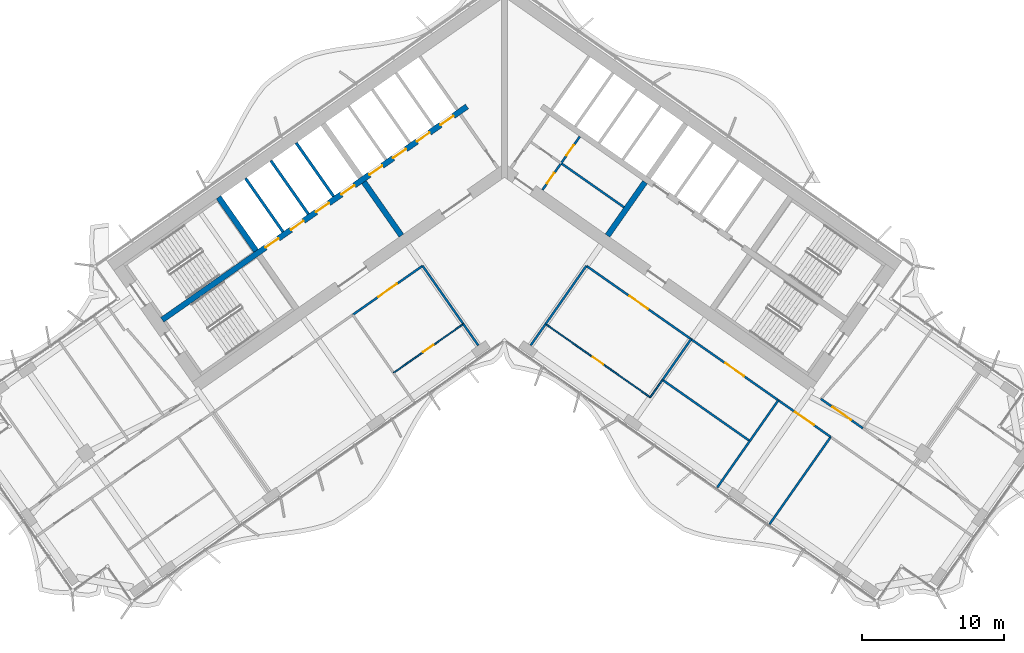
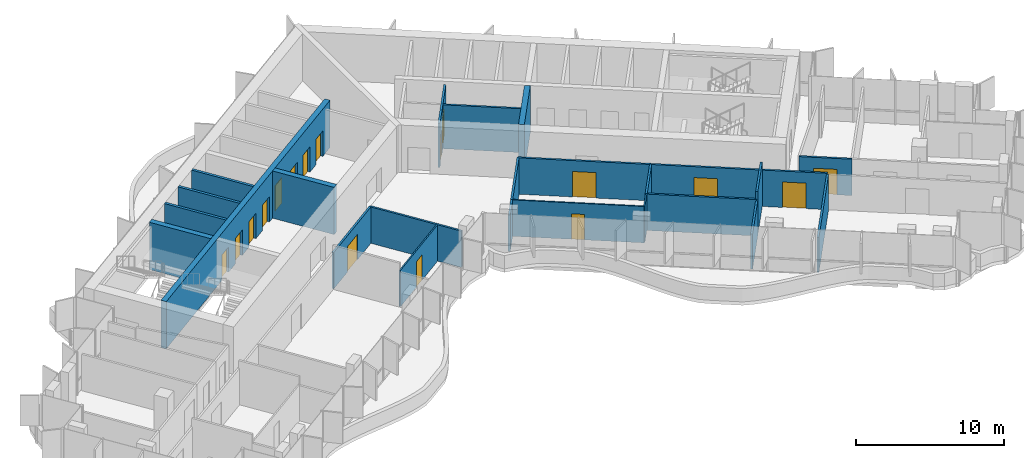
# One storey, part 15 of 23: 26 walls, 17 doors, 17 openings.
"""IFC4 building model written with IfcOpenShell, lengths in metres."""

from ifc_helpers import new_model, si_unit, direction, frame, frame_2d, origin, place, context, subcontext, project, spatial, polyline, rectangle, outline, extrude, material, layer, layer_set, type_object, element, fill, save


model = new_model("IFC4")

# Units and contexts
model_context = context("Model", 3, precision=1e-05, world=origin(), true_north=direction((0.0, 1.0)))
body_context = subcontext(model_context, "Body", "Model", "MODEL_VIEW")
ifc_project = project(units=[si_unit("LENGTHUNIT", "METRE"), si_unit("AREAUNIT", "SQUARE_METRE"), si_unit("VOLUMEUNIT", "CUBIC_METRE"), si_unit("PLANEANGLEUNIT", "RADIAN"), si_unit("MASSUNIT", "GRAM", prefix="KILO")], contexts=[model_context])

# Site, building, storey
site_placement = place(None, origin())
site = spatial("IfcSite", under=ifc_project, at=site_placement, CompositionType="ELEMENT")
building_placement = place(site_placement, origin())
building = spatial("IfcBuilding", under=site, at=building_placement, Name="Tel Ilan Convention Tower", CompositionType="ELEMENT")
storey_placement = place(building_placement, frame((0.0, 0.0, 178.800048828125)))
storey = spatial("IfcBuildingStorey", under=building, at=storey_placement, Name="L41", CompositionType="ELEMENT", Elevation=178.800048828125)

# Wall, openings, doors
ifc_material_1 = material(Name="Gypsum Plasterboard on Steel Stud", Category="steel")
ifc_layer_1 = layer(ifc_material_1, 0.14990234375)
ifc_layer_set_1 = layer_set([ifc_layer_1], Name="Core Room Partition Wall 150 mm EI 60")
wall_type_1 = type_object("IfcWallType", Name="Core Room Partition Wall 150 mm EI 60", PredefinedType="PARTITIONING", material=ifc_layer_set_1)
wall_1_placement = place(storey_placement, frame((2.67041015625, -2.114013671875, 0.0), z_axis=(0.0, 0.0, 1.0), x_axis=(0.573576324356, 0.819152122709, 0.0)))
wall_1 = element("IfcWall", 1, at=wall_1_placement, inside=storey, type_object=wall_type_1, Name="L41 core wall wc-v1", PredefinedType="PARTITIONING", context=body_context, shape_type="SweptSolid", body=[
    extrude(rectangle(XDim=4.599853515625, YDim=0.14990234375, at=frame_2d((2.2998046875, 0.0))), origin(), (0.0, 0.0, 1.0), 3.619873046875),
])
opening_1_placement = place(wall_1_placement, frame((0.550048828125, 0.0, 0.0)))
opening_1 = element("IfcOpeningElement", 2, at=opening_1_placement, cuts=wall_1, Name="Opening CD3109", PredefinedType="OPENING", context=body_context, shape_type="SweptSolid", body=[
    extrude(rectangle(XDim=0.89990234375, YDim=2.10009765625, at=frame_2d((0.449951171875, 1.050048828125))), frame((0.0, 0.0849609375, 0.0), z_axis=(0.0, -1.0, 0.0), x_axis=(1.0, 0.0, 0.0)), (0.0, 0.0, 1.0), 0.169921875),
])
opening_2_placement = place(wall_1_placement, frame((2.949951171875, 0.0, 0.0)))
opening_2 = element("IfcOpeningElement", 3, at=opening_2_placement, cuts=wall_1, Name="Opening CD3110", PredefinedType="OPENING", context=body_context, shape_type="SweptSolid", body=[
    extrude(rectangle(XDim=0.89990234375, YDim=2.10009765625, at=frame_2d((0.449951171875, 1.050048828125))), frame((0.0, 0.0849609375, 0.0), z_axis=(0.0, -1.0, 0.0), x_axis=(1.0, 0.0, 0.0)), (0.0, 0.0, 1.0), 0.169921875),
])
ifc_material_2 = material(Name="Laminated Timber Door Leaf", Category="wood")
door_type_1 = type_object("IfcDoorType", Name="Toilet Door 900 x 2100 FD30S", OperationType="NOTDEFINED", PredefinedType="DOOR", material=ifc_material_2)
door_1_placement = place(opening_1_placement, origin())
door_1 = element("IfcDoor", 4, at=door_1_placement, inside=storey, type_object=door_type_1, Name="Women's WC door", OperationType="SINGLE_SWING_RIGHT", OverallHeight=2.10009765625, OverallWidth=0.89990234375, PredefinedType="DOOR", context=body_context, shape_type="SweptSolid", body=[
    extrude(rectangle(XDim=0.89990234375, YDim=2.10009765625, at=frame_2d((0.449951171875, 1.050048828125))), frame((0.0, 0.02490234375, 0.0), z_axis=(0.0, -1.0, 0.0), x_axis=(1.0, 0.0, 0.0)), (0.0, 0.0, 1.0), 0.050048828125),
])
fill(opening_1, door_1)
door_2_placement = place(opening_2_placement, origin())
door_2 = element("IfcDoor", 5, at=door_2_placement, inside=storey, type_object=door_type_1, Name="Men's WC door", OperationType="SINGLE_SWING_RIGHT", OverallHeight=2.10009765625, OverallWidth=0.89990234375, PredefinedType="DOOR", context=body_context, shape_type="SweptSolid", body=[
    extrude(rectangle(XDim=0.89990234375, YDim=2.10009765625, at=frame_2d((0.449951171875, 1.050048828125))), frame((0.0, 0.02490234375, 0.0), z_axis=(0.0, -1.0, 0.0), x_axis=(1.0, 0.0, 0.0)), (0.0, 0.0, 1.0), 0.050048828125),
])
fill(opening_2, door_2)

# Walls
wall_2_placement = place(storey_placement, frame((3.989501953125, -0.22998046875, 0.0), z_axis=(0.0, 0.0, 1.0), x_axis=(0.819153326956, -0.573574604508, 0.0)))
element("IfcWall", 6, at=wall_2_placement, inside=storey, type_object=wall_type_1, Name="L41 core wall wc-h2", PredefinedType="PARTITIONING", context=body_context, shape_type="SweptSolid", body=[
    extrude(rectangle(XDim=5.400146484375, YDim=0.14990234375, at=frame_2d((2.7001953125, 0.0))), origin(), (0.0, 0.0, 1.0), 3.619873046875),
])
ifc_material_3 = material(Name="Concrete C50/60", Category="concrete")
ifc_layer_2 = layer(ifc_material_3, 0.39990234375)
ifc_layer_set_2 = layer_set([ifc_layer_2], Name="Core Shear Wall 400 mm C50/60")
wall_type_2 = type_object("IfcWallType", Name="Core Shear Wall 400 mm C50/60", PredefinedType="SHEAR", material=ifc_layer_set_2)
wall_3_placement = place(storey_placement, frame((-7.2578125, -5.325927734375, 0.0), z_axis=(0.0, 0.0, 1.0), x_axis=(-0.573540709186, 0.819177059558, 0.0)))
element("IfcWall", 7, at=wall_3_placement, inside=storey, type_object=wall_type_2, Name="L41 core wall W-cross1-1", PredefinedType="SHEAR", context=body_context, shape_type="SweptSolid", body=[
    extrude(outline(polyline([(4.599853515625, 0.2001953125), (-0.000244140625, 0.199951171875), (-0.000244140625, -0.2001953125), (4.599853515625, -0.199951171875), (4.599853515625, 0.2001953125)])), origin(), (0.0, 0.0, 1.0), 3.89990234375),
])
wall_4_placement = place(storey_placement, frame((-17.497802734375, -6.392333984375, 0.0), z_axis=(0.0, 0.0, 1.0), x_axis=(-0.573611936273, 0.819127185829, 0.0)))
element("IfcWall", 8, at=wall_4_placement, inside=storey, type_object=wall_type_2, Name="L41 core wall W-cross2-2", PredefinedType="SHEAR", context=body_context, shape_type="SweptSolid", body=[
    extrude(outline(polyline([(4.599853515625, -0.2001953125), (4.599853515625, 0.199951171875), (0.0, 0.2001953125), (0.0, -0.199951171875), (4.599853515625, -0.2001953125)])), origin(), (0.0, 0.0, 1.0), 3.89990234375),
])

# Wall, openings, doors
wall_5_placement = place(storey_placement, frame((-2.638427734375, 3.76806640625, 0.0), z_axis=(0.0, 0.0, 1.0), x_axis=(-0.81915267502, -0.573575535572, 0.0)))
wall_5 = element("IfcWall", 9, at=wall_5_placement, inside=storey, type_object=wall_type_2, Name="L41 core wall W-spine", PredefinedType="SHEAR", context=body_context, shape_type="SweptSolid", body=[
    extrude(outline(polyline([(26.199951171875, 0.199951171875), (0.0, 0.199951171875), (0.0, -0.199951171875), (26.199951171875, -0.199951171875), (26.199951171875, 0.199951171875)])), origin(), (0.0, 0.0, 1.0), 3.89990234375),
])
opening_3_placement = place(wall_5_placement, frame((1.168701171875, 0.0, 0.0)))
opening_3 = element("IfcOpeningElement", 10, at=opening_3_placement, cuts=wall_5, Name="Opening LD3104", PredefinedType="OPENING", context=body_context, shape_type="SweptSolid", body=[
    extrude(rectangle(XDim=1.10009765625, YDim=2.10009765625, at=frame_2d((0.550048828125, 1.050048828125))), frame((0.0, 0.2099609375, 0.0), z_axis=(0.0, -1.0, 0.0), x_axis=(1.0, 0.0, 0.0)), (0.0, 0.0, 1.0), 0.419921875),
])
opening_4_placement = place(wall_5_placement, frame((3.206298828125, 0.0, 0.0)))
opening_4 = element("IfcOpeningElement", 11, at=opening_4_placement, cuts=wall_5, Name="Opening LD3105", PredefinedType="OPENING", context=body_context, shape_type="SweptSolid", body=[
    extrude(rectangle(XDim=1.10009765625, YDim=2.10009765625, at=frame_2d((0.550048828125, 1.050048828125))), frame((0.0, 0.2099609375, 0.0), z_axis=(0.0, -1.0, 0.0), x_axis=(1.0, 0.0, 0.0)), (0.0, 0.0, 1.0), 0.419921875),
])
opening_5_placement = place(wall_5_placement, frame((5.24365234375, 0.0, 0.0)))
opening_5 = element("IfcOpeningElement", 12, at=opening_5_placement, cuts=wall_5, Name="Opening LD3106", PredefinedType="OPENING", context=body_context, shape_type="SweptSolid", body=[
    extrude(rectangle(XDim=1.10009765625, YDim=2.10009765625, at=frame_2d((0.550048828125, 1.050048828125))), frame((0.0, 0.2099609375, 0.0), z_axis=(0.0, -1.0, 0.0), x_axis=(1.0, 0.0, 0.0)), (0.0, 0.0, 1.0), 0.419921875),
])
opening_6_placement = place(wall_5_placement, frame((7.28125, 0.0, 0.0)))
opening_6 = element("IfcOpeningElement", 13, at=opening_6_placement, cuts=wall_5, Name="Opening LD3107", PredefinedType="OPENING", context=body_context, shape_type="SweptSolid", body=[
    extrude(rectangle(XDim=1.10009765625, YDim=2.10009765625, at=frame_2d((0.550048828125, 1.050048828125))), frame((0.0, 0.2099609375, 0.0), z_axis=(0.0, -1.0, 0.0), x_axis=(1.0, 0.0, 0.0)), (0.0, 0.0, 1.0), 0.419921875),
])
opening_7_placement = place(wall_5_placement, frame((9.6875, 0.0, 0.0)))
opening_7 = element("IfcOpeningElement", 14, at=opening_7_placement, cuts=wall_5, Name="Opening LD3108", PredefinedType="OPENING", context=body_context, shape_type="SweptSolid", body=[
    extrude(rectangle(XDim=1.10009765625, YDim=2.10009765625, at=frame_2d((0.550048828125, 1.050048828125))), frame((0.0, 0.2099609375, 0.0), z_axis=(0.0, -1.0, 0.0), x_axis=(1.0, 0.0, 0.0)), (0.0, 0.0, 1.0), 0.419921875),
])
opening_8_placement = place(wall_5_placement, frame((11.862548828125, 0.0, 0.0)))
opening_8 = element("IfcOpeningElement", 15, at=opening_8_placement, cuts=wall_5, Name="Opening LD3109", PredefinedType="OPENING", context=body_context, shape_type="SweptSolid", body=[
    extrude(rectangle(XDim=1.10009765625, YDim=2.10009765625, at=frame_2d((0.550048828125, 1.050048828125))), frame((0.0, 0.2099609375, 0.0), z_axis=(0.0, -1.0, 0.0), x_axis=(1.0, 0.0, 0.0)), (0.0, 0.0, 1.0), 0.419921875),
])
opening_9_placement = place(wall_5_placement, frame((14.03759765625, 0.0, 0.0)))
opening_9 = element("IfcOpeningElement", 16, at=opening_9_placement, cuts=wall_5, Name="Opening LD3110", PredefinedType="OPENING", context=body_context, shape_type="SweptSolid", body=[
    extrude(rectangle(XDim=1.10009765625, YDim=2.10009765625, at=frame_2d((0.550048828125, 1.050048828125))), frame((0.0, 0.2099609375, 0.0), z_axis=(0.0, -1.0, 0.0), x_axis=(1.0, 0.0, 0.0)), (0.0, 0.0, 1.0), 0.419921875),
])
opening_10_placement = place(wall_5_placement, frame((16.21240234375, 0.0, 0.0)))
opening_10 = element("IfcOpeningElement", 17, at=opening_10_placement, cuts=wall_5, Name="Opening LD3111", PredefinedType="OPENING", context=body_context, shape_type="SweptSolid", body=[
    extrude(rectangle(XDim=1.10009765625, YDim=2.10009765625, at=frame_2d((0.550048828125, 1.050048828125))), frame((0.0, 0.2099609375, 0.0), z_axis=(0.0, -1.0, 0.0), x_axis=(1.0, 0.0, 0.0)), (0.0, 0.0, 1.0), 0.419921875),
])
ifc_material_4 = material(Name="Stainless Steel Sliding Door Leaf", Category="steel")
door_type_2 = type_object("IfcDoorType", Name="Lift Landing Door 1100 x 2100 FD120", OperationType="NOTDEFINED", PredefinedType="DOOR", material=ifc_material_4)
door_3_placement = place(opening_3_placement, origin())
door_3 = element("IfcDoor", 18, at=door_3_placement, inside=storey, type_object=door_type_2, Name="Lift LR1 landing door", OperationType="SLIDING_TO_LEFT", OverallHeight=2.10009765625, OverallWidth=1.10009765625, PredefinedType="DOOR", context=body_context, shape_type="SweptSolid", body=[
    extrude(rectangle(XDim=1.10009765625, YDim=2.10009765625, at=frame_2d((0.550048828125, 1.050048828125))), frame((0.0, 0.02490234375, 0.0), z_axis=(0.0, -1.0, 0.0), x_axis=(1.0, 0.0, 0.0)), (0.0, 0.0, 1.0), 0.050048828125),
])
fill(opening_3, door_3)
door_4_placement = place(opening_4_placement, origin())
door_4 = element("IfcDoor", 19, at=door_4_placement, inside=storey, type_object=door_type_2, Name="Lift LR2 landing door", OperationType="SLIDING_TO_RIGHT", OverallHeight=2.10009765625, OverallWidth=1.10009765625, PredefinedType="DOOR", context=body_context, shape_type="SweptSolid", body=[
    extrude(rectangle(XDim=1.10009765625, YDim=2.10009765625, at=frame_2d((0.550048828125, 1.050048828125))), frame((0.0, 0.02490234375, 0.0), z_axis=(0.0, -1.0, 0.0), x_axis=(1.0, 0.0, 0.0)), (0.0, 0.0, 1.0), 0.050048828125),
])
fill(opening_4, door_4)
door_5_placement = place(opening_5_placement, origin())
door_5 = element("IfcDoor", 20, at=door_5_placement, inside=storey, type_object=door_type_2, Name="Lift LR3 landing door", OperationType="SLIDING_TO_LEFT", OverallHeight=2.10009765625, OverallWidth=1.10009765625, PredefinedType="DOOR", context=body_context, shape_type="SweptSolid", body=[
    extrude(rectangle(XDim=1.10009765625, YDim=2.10009765625, at=frame_2d((0.550048828125, 1.050048828125))), frame((0.0, 0.02490234375, 0.0), z_axis=(0.0, -1.0, 0.0), x_axis=(1.0, 0.0, 0.0)), (0.0, 0.0, 1.0), 0.050048828125),
])
fill(opening_5, door_5)
door_6_placement = place(opening_6_placement, origin())
door_6 = element("IfcDoor", 21, at=door_6_placement, inside=storey, type_object=door_type_2, Name="Lift LR4 landing door", OperationType="SLIDING_TO_RIGHT", OverallHeight=2.10009765625, OverallWidth=1.10009765625, PredefinedType="DOOR", context=body_context, shape_type="SweptSolid", body=[
    extrude(rectangle(XDim=1.10009765625, YDim=2.10009765625, at=frame_2d((0.550048828125, 1.050048828125))), frame((0.0, 0.02490234375, 0.0), z_axis=(0.0, -1.0, 0.0), x_axis=(1.0, 0.0, 0.0)), (0.0, 0.0, 1.0), 0.050048828125),
])
fill(opening_6, door_6)
door_7_placement = place(opening_7_placement, origin())
door_7 = element("IfcDoor", 22, at=door_7_placement, inside=storey, type_object=door_type_2, Name="Lift LR5 landing door", OperationType="SLIDING_TO_LEFT", OverallHeight=2.10009765625, OverallWidth=1.10009765625, PredefinedType="DOOR", context=body_context, shape_type="SweptSolid", body=[
    extrude(rectangle(XDim=1.10009765625, YDim=2.10009765625, at=frame_2d((0.550048828125, 1.050048828125))), frame((0.0, 0.02490234375, 0.0), z_axis=(0.0, -1.0, 0.0), x_axis=(1.0, 0.0, 0.0)), (0.0, 0.0, 1.0), 0.050048828125),
])
fill(opening_7, door_7)
door_8_placement = place(opening_8_placement, origin())
door_8 = element("IfcDoor", 23, at=door_8_placement, inside=storey, type_object=door_type_2, Name="Lift LR6 landing door", OperationType="SLIDING_TO_RIGHT", OverallHeight=2.10009765625, OverallWidth=1.10009765625, PredefinedType="DOOR", context=body_context, shape_type="SweptSolid", body=[
    extrude(rectangle(XDim=1.10009765625, YDim=2.10009765625, at=frame_2d((0.550048828125, 1.050048828125))), frame((0.0, 0.02490234375, 0.0), z_axis=(0.0, -1.0, 0.0), x_axis=(1.0, 0.0, 0.0)), (0.0, 0.0, 1.0), 0.050048828125),
])
fill(opening_8, door_8)
door_9_placement = place(opening_9_placement, origin())
door_9 = element("IfcDoor", 24, at=door_9_placement, inside=storey, type_object=door_type_2, Name="Lift LR7 landing door", OperationType="SLIDING_TO_LEFT", OverallHeight=2.10009765625, OverallWidth=1.10009765625, PredefinedType="DOOR", context=body_context, shape_type="SweptSolid", body=[
    extrude(rectangle(XDim=1.10009765625, YDim=2.10009765625, at=frame_2d((0.550048828125, 1.050048828125))), frame((0.0, 0.02490234375, 0.0), z_axis=(0.0, -1.0, 0.0), x_axis=(1.0, 0.0, 0.0)), (0.0, 0.0, 1.0), 0.050048828125),
])
fill(opening_9, door_9)
door_10_placement = place(opening_10_placement, origin())
door_10 = element("IfcDoor", 25, at=door_10_placement, inside=storey, type_object=door_type_2, Name="Lift LR8 landing door", OperationType="SLIDING_TO_RIGHT", OverallHeight=2.10009765625, OverallWidth=1.10009765625, PredefinedType="DOOR", context=body_context, shape_type="SweptSolid", body=[
    extrude(rectangle(XDim=1.10009765625, YDim=2.10009765625, at=frame_2d((0.550048828125, 1.050048828125))), frame((0.0, 0.02490234375, 0.0), z_axis=(0.0, -1.0, 0.0), x_axis=(1.0, 0.0, 0.0)), (0.0, 0.0, 1.0), 0.050048828125),
])
fill(opening_10, door_10)

# Wall
wall_6_placement = place(storey_placement, frame((7.2578125, -5.325927734375, 0.0), z_axis=(0.0, 0.0, 1.0), x_axis=(0.573540709186, 0.819177059558, 0.0)))
element("IfcWall", 26, at=wall_6_placement, inside=storey, type_object=wall_type_2, Name="L41 core wall E-cross1-1", PredefinedType="SHEAR", context=body_context, shape_type="SweptSolid", body=[
    extrude(outline(polyline([(-0.000244140625, 0.2001953125), (-0.000244140625, -0.199951171875), (4.599853515625, -0.2001953125), (4.599853515625, 0.199951171875), (-0.000244140625, 0.2001953125)])), origin(), (0.0, 0.0, 1.0), 3.89990234375),
])

# Wall, opening, door
ifc_material_5 = material(Name="Plasterboard on Steel Studs", Category="steel")
ifc_layer_3 = layer(ifc_material_5, 0.14990234375)
ifc_layer_set_3 = layer_set([ifc_layer_3], Name="Fire-rated Partition 150 EI 60")
wall_type_3 = type_object("IfcWallType", Name="Fire-rated Partition 150 EI 60", PredefinedType="PARTITIONING", material=ifc_layer_set_3)
wall_7_placement = place(storey_placement, frame((22.283203125, -16.82373046875, 0.0), z_axis=(0.0, 0.0, 1.0), x_axis=(0.819174552658, -0.573544289726, 0.0)))
wall_7 = element("IfcWall", 27, at=wall_7_placement, inside=storey, type_object=wall_type_3, Name="Partition 001", PredefinedType="PARTITIONING", context=body_context, shape_type="SweptSolid", body=[
    extrude(rectangle(XDim=3.59912109375, YDim=0.14990234375, at=frame_2d((1.799560546875, 0.0))), origin(), (0.0, 0.0, 1.0), 3.0),
])
opening_11_placement = place(wall_7_placement, frame((0.99951171875, 0.0, 0.0)))
opening_11 = element("IfcOpeningElement", 28, at=opening_11_placement, cuts=wall_7, Name="Opening L39-017", PredefinedType="OPENING", context=body_context, shape_type="SweptSolid", body=[
    extrude(rectangle(XDim=1.60009765625, YDim=2.10009765625, at=frame_2d((0.800048828125, 1.050048828125))), frame((0.0, 0.0849609375, 0.0), z_axis=(0.0, -1.0, 0.0), x_axis=(1.0, 0.0, 0.0)), (0.0, 0.0, 1.0), 0.169921875),
])
ifc_material_6 = material(Name="Timber Door Leaf in Steel Frame", Category="steel")
door_type_3 = type_object("IfcDoorType", Name="Tenant Suite Entrance Fire Door 1600x2100", OperationType="NOTDEFINED", PredefinedType="DOOR", material=ifc_material_6)
door_11_placement = place(opening_11_placement, origin())
door_11 = element("IfcDoor", 29, at=door_11_placement, inside=storey, type_object=door_type_3, Name="Door L39-017", OperationType="DOUBLE_DOOR_SINGLE_SWING", OverallHeight=2.10009765625, OverallWidth=1.60009765625, PredefinedType="DOOR", context=body_context, shape_type="SweptSolid", body=[
    extrude(rectangle(XDim=1.60009765625, YDim=2.10009765625, at=frame_2d((0.800048828125, 1.050048828125))), frame((0.0, 0.02490234375, 0.0), z_axis=(0.0, -1.0, 0.0), x_axis=(1.0, 0.0, 0.0)), (0.0, 0.0, 1.0), 0.050048828125),
])
fill(opening_11, door_11)

wall_8_placement = place(storey_placement, frame((13.140380859375, -12.619140625, 0.0), z_axis=(0.0, 0.0, 1.0), x_axis=(-0.81915291695, 0.57357519006, 0.0)))
wall_8 = element("IfcWall", 30, at=wall_8_placement, inside=storey, type_object=wall_type_3, Name="Partition 004", PredefinedType="PARTITIONING", context=body_context, shape_type="SweptSolid", body=[
    extrude(rectangle(XDim=9.001953125, YDim=0.14990234375, at=frame_2d((4.5009765625, 0.0))), origin(), (0.0, 0.0, 1.0), 3.0),
])
opening_12_placement = place(wall_8_placement, frame((3.700927734375, 0.0, 0.0)))
opening_12 = element("IfcOpeningElement", 31, at=opening_12_placement, cuts=wall_8, Name="Opening L39-012", PredefinedType="OPENING", context=body_context, shape_type="SweptSolid", body=[
    extrude(rectangle(XDim=1.60009765625, YDim=2.10009765625, at=frame_2d((0.800048828125, 1.050048828125))), frame((0.0, 0.0849609375, 0.0), z_axis=(0.0, -1.0, 0.0), x_axis=(1.0, 0.0, 0.0)), (0.0, 0.0, 1.0), 0.169921875),
])
door_12_placement = place(opening_12_placement, origin())
door_12 = element("IfcDoor", 32, at=door_12_placement, inside=storey, type_object=door_type_3, Name="Door L39-012", OperationType="DOUBLE_DOOR_SINGLE_SWING", OverallHeight=2.10009765625, OverallWidth=1.60009765625, PredefinedType="DOOR", context=body_context, shape_type="SweptSolid", body=[
    extrude(rectangle(XDim=1.60009765625, YDim=2.10009765625, at=frame_2d((0.800048828125, 1.050048828125))), frame((0.0, 0.02490234375, 0.0), z_axis=(0.0, -1.0, 0.0), x_axis=(1.0, 0.0, 0.0)), (0.0, 0.0, 1.0), 0.050048828125),
])
fill(opening_12, door_12)

wall_9_placement = place(storey_placement, frame((19.283935546875, -16.9208984375, 0.0), z_axis=(0.0, 0.0, 1.0), x_axis=(-0.819153958035, 0.573573703229, 0.0)))
wall_9 = element("IfcWall", 33, at=wall_9_placement, inside=storey, type_object=wall_type_3, Name="Partition 005", PredefinedType="PARTITIONING", context=body_context, shape_type="SweptSolid", body=[
    extrude(rectangle(XDim=7.503662109375, YDim=0.14990234375, at=frame_2d((3.751953125, 0.0))), origin(), (0.0, 0.0, 1.0), 3.0),
])
opening_13_placement = place(wall_9_placement, frame((2.951904296875, 0.0, 0.0)))
opening_13 = element("IfcOpeningElement", 34, at=opening_13_placement, cuts=wall_9, Name="Opening L39-014", PredefinedType="OPENING", context=body_context, shape_type="SweptSolid", body=[
    extrude(rectangle(XDim=1.60009765625, YDim=2.10009765625, at=frame_2d((0.800048828125, 1.050048828125))), frame((0.0, 0.0849609375, 0.0), z_axis=(0.0, -1.0, 0.0), x_axis=(1.0, 0.0, 0.0)), (0.0, 0.0, 1.0), 0.169921875),
])
door_13_placement = place(opening_13_placement, origin())
door_13 = element("IfcDoor", 35, at=door_13_placement, inside=storey, type_object=door_type_3, Name="Door L39-014", OperationType="DOUBLE_DOOR_SINGLE_SWING", OverallHeight=2.10009765625, OverallWidth=1.60009765625, PredefinedType="DOOR", context=body_context, shape_type="SweptSolid", body=[
    extrude(rectangle(XDim=1.60009765625, YDim=2.10009765625, at=frame_2d((0.800048828125, 1.050048828125))), frame((0.0, 0.02490234375, 0.0), z_axis=(0.0, -1.0, 0.0), x_axis=(1.0, 0.0, 0.0)), (0.0, 0.0, 1.0), 0.050048828125),
])
fill(opening_13, door_13)

wall_10_placement = place(storey_placement, frame((22.97021484375, -19.502197265625, 0.0), z_axis=(0.0, 0.0, 1.0), x_axis=(-0.819140235121, 0.573593301221, 0.0)))
wall_10 = element("IfcWall", 36, at=wall_10_placement, inside=storey, type_object=wall_type_3, Name="Partition 006", PredefinedType="PARTITIONING", context=body_context, shape_type="SweptSolid", body=[
    extrude(rectangle(XDim=4.504150390625, YDim=0.14990234375, at=frame_2d((2.251953125, 0.0))), origin(), (0.0, 0.0, 1.0), 3.0),
])
opening_14_placement = place(wall_10_placement, frame((1.451904296875, 0.0, 0.0)))
opening_14 = element("IfcOpeningElement", 37, at=opening_14_placement, cuts=wall_10, Name="Opening L39-015", PredefinedType="OPENING", context=body_context, shape_type="SweptSolid", body=[
    extrude(rectangle(XDim=1.60009765625, YDim=2.10009765625, at=frame_2d((0.800048828125, 1.050048828125))), frame((0.0, 0.0849609375, 0.0), z_axis=(0.0, -1.0, 0.0), x_axis=(1.0, 0.0, 0.0)), (0.0, 0.0, 1.0), 0.169921875),
])
door_14_placement = place(opening_14_placement, origin())
door_14 = element("IfcDoor", 38, at=door_14_placement, inside=storey, type_object=door_type_3, Name="Door L39-015", OperationType="DOUBLE_DOOR_SINGLE_SWING", OverallHeight=2.10009765625, OverallWidth=1.60009765625, PredefinedType="DOOR", context=body_context, shape_type="SweptSolid", body=[
    extrude(rectangle(XDim=1.60009765625, YDim=2.10009765625, at=frame_2d((0.800048828125, 1.050048828125))), frame((0.0, 0.02490234375, 0.0), z_axis=(0.0, -1.0, 0.0), x_axis=(1.0, 0.0, 0.0)), (0.0, 0.0, 1.0), 0.050048828125),
])
fill(opening_14, door_14)

wall_11_placement = place(storey_placement, frame((-5.766357421875, -7.455810546875, 0.0), z_axis=(0.0, 0.0, 1.0), x_axis=(-0.819147828287, -0.573582457378, 0.0)))
wall_11 = element("IfcWall", 39, at=wall_11_placement, inside=storey, type_object=wall_type_3, Name="Partition 012", PredefinedType="PARTITIONING", context=body_context, shape_type="SweptSolid", body=[
    extrude(rectangle(XDim=6.001953125, YDim=0.14990234375, at=frame_2d((3.0009765625, 0.0))), origin(), (0.0, 0.0, 1.0), 3.0),
])
opening_15_placement = place(wall_11_placement, frame((2.200927734375, 0.0, 0.0)))
opening_15 = element("IfcOpeningElement", 40, at=opening_15_placement, cuts=wall_11, Name="Opening L39-001", PredefinedType="OPENING", context=body_context, shape_type="SweptSolid", body=[
    extrude(rectangle(XDim=1.60009765625, YDim=2.10009765625, at=frame_2d((0.800048828125, 1.050048828125))), frame((0.0, 0.0849609375, 0.0), z_axis=(0.0, -1.0, 0.0), x_axis=(1.0, 0.0, 0.0)), (0.0, 0.0, 1.0), 0.169921875),
])
door_15_placement = place(opening_15_placement, origin())
door_15 = element("IfcDoor", 41, at=door_15_placement, inside=storey, type_object=door_type_3, Name="Door L39-001", OperationType="DOUBLE_DOOR_SINGLE_SWING", OverallHeight=2.10009765625, OverallWidth=1.60009765625, PredefinedType="DOOR", context=body_context, shape_type="SweptSolid", body=[
    extrude(rectangle(XDim=1.60009765625, YDim=2.10009765625, at=frame_2d((0.800048828125, 1.050048828125))), frame((0.0, 0.02490234375, 0.0), z_axis=(0.0, -1.0, 0.0), x_axis=(1.0, 0.0, 0.0)), (0.0, 0.0, 1.0), 0.050048828125),
])
fill(opening_15, door_15)

# Walls
wall_12_placement = place(storey_placement, frame((11.130615234375, -15.48583984375, 0.0), z_axis=(0.0, 0.0, 1.0), x_axis=(0.819163097304, -0.573560650686, 0.0)))
element("IfcWall", 42, at=wall_12_placement, inside=storey, type_object=wall_type_3, Name="Partition 026", PredefinedType="PARTITIONING", context=body_context, shape_type="SweptSolid", body=[
    extrude(rectangle(XDim=7.5, YDim=0.14990234375, at=frame_2d((3.75, 0.0))), origin(), (0.0, 0.0, 1.0), 3.0),
])
wall_13_placement = place(storey_placement, frame((17.2744140625, -19.78759765625, 0.0), z_axis=(0.0, 0.0, 1.0), x_axis=(-0.57360163893, -0.819134396675, 0.0)))
element("IfcWall", 43, at=wall_13_placement, inside=storey, type_object=wall_type_3, Name="Partition 027", PredefinedType="PARTITIONING", context=body_context, shape_type="SweptSolid", body=[
    extrude(rectangle(XDim=3.999267578125, YDim=0.14990234375, at=frame_2d((1.99951171875, 0.0))), origin(), (0.0, 0.0, 1.0), 2.89990234375),
])
wall_14_placement = place(storey_placement, frame((1.848876953125, -13.050537109375, 0.0), z_axis=(0.0, 0.0, 1.0), x_axis=(0.573623601139, 0.819119017125, 0.0)))
element("IfcWall", 44, at=wall_14_placement, inside=storey, type_object=wall_type_3, Name="Partition 028", PredefinedType="PARTITIONING", context=body_context, shape_type="SweptSolid", body=[
    extrude(rectangle(XDim=1.828857421875, YDim=0.14990234375, at=frame_2d((0.91455078125, 0.0))), origin(), (0.0, 0.0, 1.0), 3.0),
])
wall_15_placement = place(storey_placement, frame((13.138671875, -12.617919921875, 0.0), z_axis=(0.0, 0.0, 1.0), x_axis=(-0.573523165603, -0.819189342287, 0.0)))
element("IfcWall", 45, at=wall_15_placement, inside=storey, type_object=wall_type_3, Name="Partition 029", PredefinedType="PARTITIONING", context=body_context, shape_type="SweptSolid", body=[
    extrude(rectangle(XDim=3.502197265625, YDim=0.14990234375, at=frame_2d((1.7509765625, 0.0))), origin(), (0.0, 0.0, 1.0), 3.0),
])
wall_16_placement = place(storey_placement, frame((2.8984375, -11.551513671875, 0.0), z_axis=(0.0, 0.0, 1.0), x_axis=(0.573586866468, 0.819144740944, 0.0)))
element("IfcWall", 46, at=wall_16_placement, inside=storey, type_object=wall_type_3, Name="Partition 030", PredefinedType="PARTITIONING", context=body_context, shape_type="SweptSolid", body=[
    extrude(rectangle(XDim=5.0, YDim=0.14990234375, at=frame_2d((2.5, 0.0))), origin(), (0.0, 0.0, 1.0), 3.0),
])
wall_17_placement = place(storey_placement, frame((19.282470703125, -16.919921875, 0.0), z_axis=(0.0, 0.0, 1.0), x_axis=(-0.573598101901, -0.81913687348, 0.0)))
element("IfcWall", 47, at=wall_17_placement, inside=storey, type_object=wall_type_3, Name="Partition 031", PredefinedType="PARTITIONING", context=body_context, shape_type="SweptSolid", body=[
    extrude(rectangle(XDim=3.5, YDim=0.14990234375, at=frame_2d((1.75, 0.0))), origin(), (0.0, 0.0, 1.0), 3.619873046875),
])
wall_18_placement = place(storey_placement, frame((22.968505859375, -19.5009765625, 0.0), z_axis=(0.0, 0.0, 1.0), x_axis=(-0.573575945067, -0.81915238829, 0.0)))
element("IfcWall", 48, at=wall_18_placement, inside=storey, type_object=wall_type_3, Name="Partition 032", PredefinedType="PARTITIONING", context=body_context, shape_type="SweptSolid", body=[
    extrude(rectangle(XDim=7.5, YDim=0.14990234375, at=frame_2d((3.75, 0.0))), origin(), (0.0, 0.0, 1.0), 2.89990234375),
])
wall_19_placement = place(storey_placement, frame((-1.848876953125, -13.050537109375, 0.0), z_axis=(0.0, 0.0, 1.0), x_axis=(-0.573542889209, 0.819175533227, 0.0)))
element("IfcWall", 49, at=wall_19_placement, inside=storey, type_object=wall_type_3, Name="Partition 033", PredefinedType="PARTITIONING", context=body_context, shape_type="SweptSolid", body=[
    extrude(rectangle(XDim=1.830810546875, YDim=0.14990234375, at=frame_2d((0.91552734375, 0.0))), origin(), (0.0, 0.0, 1.0), 3.0),
])
wall_20_placement = place(storey_placement, frame((-2.897216796875, -11.55322265625, 0.0), z_axis=(0.0, 0.0, 1.0), x_axis=(-0.573593309886, 0.819140229054, 0.0)))
element("IfcWall", 50, at=wall_20_placement, inside=storey, type_object=wall_type_3, Name="Partition 034", PredefinedType="PARTITIONING", context=body_context, shape_type="SweptSolid", body=[
    extrude(rectangle(XDim=5.004150390625, YDim=0.14990234375, at=frame_2d((2.501953125, 0.0))), origin(), (0.0, 0.0, 1.0), 3.0),
])
ifc_material_7 = material(Name="Concrete C30/37", Category="concrete")
ifc_layer_4 = layer(ifc_material_7, 0.199951171875)
ifc_layer_set_4 = layer_set([ifc_layer_4], Name="Lift Shaft Wall 200 mm C30/37")
wall_type_4 = type_object("IfcWallType", Name="Lift Shaft Wall 200 mm C30/37", PredefinedType="SOLIDWALL", material=ifc_layer_set_4)
for number, where, z_axis, x_axis, name in (
    (51, (-12.030029296875, -2.563720703125, 0.0), (0.0, 0.0, 1.0), (-0.573576324356, 0.819152122709, 0.0), "L41 core wall bank-W2-p0"),
    (52, (-13.811767578125, -3.811279296875, 0.0), (0.0, 0.0, 1.0), (-0.573576324356, 0.819152122709, 0.0), "L41 core wall bank-W2-p1"),
    (53, (-15.593505859375, -5.058837890625, 0.0), (0.0, 0.0, 1.0), (-0.573540709186, 0.819177059558, 0.0), "L41 core wall bank-W2-p2"),
):
    element("IfcWall", number, at=place(storey_placement, frame(where, z_axis=z_axis, x_axis=x_axis)), inside=storey, type_object=wall_type_4, Name=name, PredefinedType="SOLIDWALL", context=body_context, shape_type="SweptSolid", body=[
        extrude(rectangle(XDim=4.599853515625, YDim=0.199951171875, at=frame_2d((2.2998046875, 0.0))), origin(), (0.0, 0.0, 1.0), 3.89990234375),
    ])
ifc_material_8 = material(Name="Plasterboard on Steel Studs", Category="steel")
ifc_layer_5 = layer(ifc_material_8, 0.10009765625)
ifc_layer_set_5 = layer_set([ifc_layer_5], Name="Plasterboard Partition 100")
wall_type_5 = type_object("IfcWallType", Name="Plasterboard Partition 100", PredefinedType="PARTITIONING", material=ifc_layer_set_5)
wall_21_placement = place(storey_placement, frame((11.130615234375, -15.48583984375, 0.0), z_axis=(0.0, 0.0, 1.0), x_axis=(-0.573560650686, -0.819163097304, 0.0)))
element("IfcWall", 54, at=wall_21_placement, inside=storey, type_object=wall_type_5, Name="Partition 024", PredefinedType="PARTITIONING", context=body_context, shape_type="SweptSolid", body=[
    extrude(rectangle(XDim=1.5, YDim=0.10009765625, at=frame_2d((0.75, 0.0))), origin(), (0.0, 0.0, 1.0), 3.0),
])

# Wall, opening, door
wall_22_placement = place(storey_placement, frame((10.270263671875, -16.714599609375, 0.0), z_axis=(0.0, 0.0, 1.0), x_axis=(-0.819154173185, 0.573573395961, 0.0)))
wall_22 = element("IfcWall", 55, at=wall_22_placement, inside=storey, type_object=wall_type_5, Name="Partition 025", PredefinedType="PARTITIONING", context=body_context, shape_type="SweptSolid", body=[
    extrude(rectangle(XDim=9.0, YDim=0.10009765625, at=frame_2d((4.5, 0.0))), origin(), (0.0, 0.0, 1.0), 3.0),
])
opening_16_placement = place(wall_22_placement, frame((4.050048828125, 0.0, 0.0)))
opening_16 = element("IfcOpeningElement", 56, at=opening_16_placement, cuts=wall_22, Name="Opening L39-013", PredefinedType="OPENING", context=body_context, shape_type="SweptSolid", body=[
    extrude(rectangle(XDim=0.89990234375, YDim=2.10009765625, at=frame_2d((0.449951171875, 1.050048828125))), frame((0.0, 0.06005859375, 0.0), z_axis=(0.0, -1.0, 0.0), x_axis=(1.0, 0.0, 0.0)), (0.0, 0.0, 1.0), 0.1201171875),
])
ifc_material_9 = material(Name="Timber Door Leaf in Steel Frame", Category="steel")
door_type_4 = type_object("IfcDoorType", Name="Room Timber Door 900x2100", OperationType="NOTDEFINED", PredefinedType="DOOR", material=ifc_material_9)
door_16_placement = place(opening_16_placement, origin())
door_16 = element("IfcDoor", 57, at=door_16_placement, inside=storey, type_object=door_type_4, Name="Door L39-013", OperationType="SINGLE_SWING_RIGHT", OverallHeight=2.10009765625, OverallWidth=0.89990234375, PredefinedType="DOOR", context=body_context, shape_type="SweptSolid", body=[
    extrude(rectangle(XDim=0.89990234375, YDim=2.10009765625, at=frame_2d((0.449951171875, 1.050048828125))), frame((0.0, 0.02490234375, 0.0), z_axis=(0.0, -1.0, 0.0), x_axis=(1.0, 0.0, 0.0)), (0.0, 0.0, 1.0), 0.050048828125),
])
fill(opening_16, door_16)

wall_23_placement = place(storey_placement, frame((-2.89794921875, -11.552490234375, 0.0), z_axis=(0.0, 0.0, 1.0), x_axis=(-0.819149710902, -0.573579768758, 0.0)))
wall_23 = element("IfcWall", 58, at=wall_23_placement, inside=storey, type_object=wall_type_5, Name="Partition 040", PredefinedType="PARTITIONING", context=body_context, shape_type="SweptSolid", body=[
    extrude(rectangle(XDim=5.999755859375, YDim=0.10009765625, at=frame_2d((3.0, 0.0))), origin(), (0.0, 0.0, 1.0), 3.0),
])
opening_17_placement = place(wall_23_placement, frame((2.550048828125, 0.0, 0.0)))
opening_17 = element("IfcOpeningElement", 59, at=opening_17_placement, cuts=wall_23, Name="Opening L39-002", PredefinedType="OPENING", context=body_context, shape_type="SweptSolid", body=[
    extrude(rectangle(XDim=0.89990234375, YDim=2.10009765625, at=frame_2d((0.449951171875, 1.050048828125))), frame((0.0, 0.06005859375, 0.0), z_axis=(0.0, -1.0, 0.0), x_axis=(1.0, 0.0, 0.0)), (0.0, 0.0, 1.0), 0.1201171875),
])
door_17_placement = place(opening_17_placement, origin())
door_17 = element("IfcDoor", 60, at=door_17_placement, inside=storey, type_object=door_type_4, Name="Door L39-002", OperationType="SINGLE_SWING_RIGHT", OverallHeight=2.10009765625, OverallWidth=0.89990234375, PredefinedType="DOOR", context=body_context, shape_type="SweptSolid", body=[
    extrude(rectangle(XDim=0.89990234375, YDim=2.10009765625, at=frame_2d((0.449951171875, 1.050048828125))), frame((0.0, 0.02490234375, 0.0), z_axis=(0.0, -1.0, 0.0), x_axis=(1.0, 0.0, 0.0)), (0.0, 0.0, 1.0), 0.050048828125),
])
fill(opening_17, door_17)

save(model, "model.ifc")
